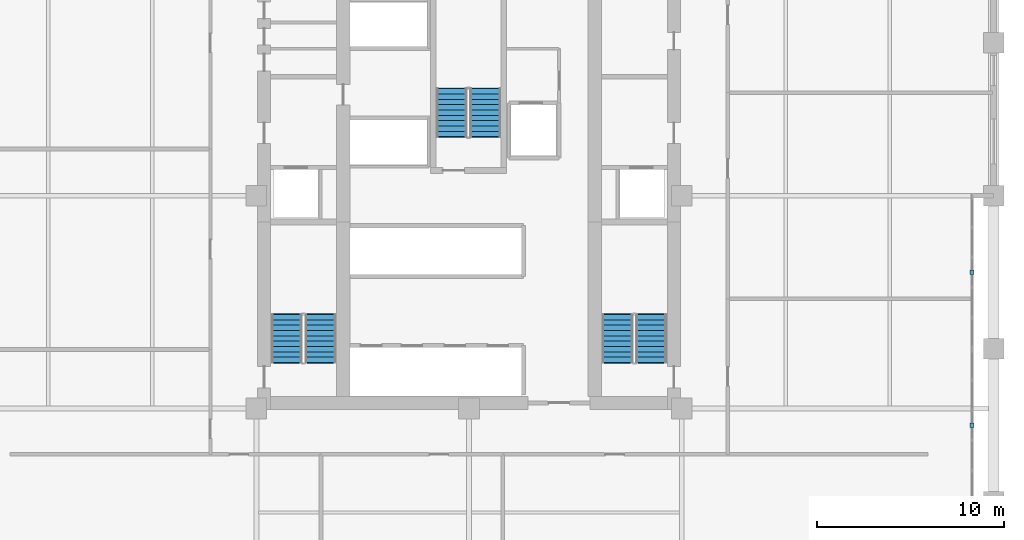
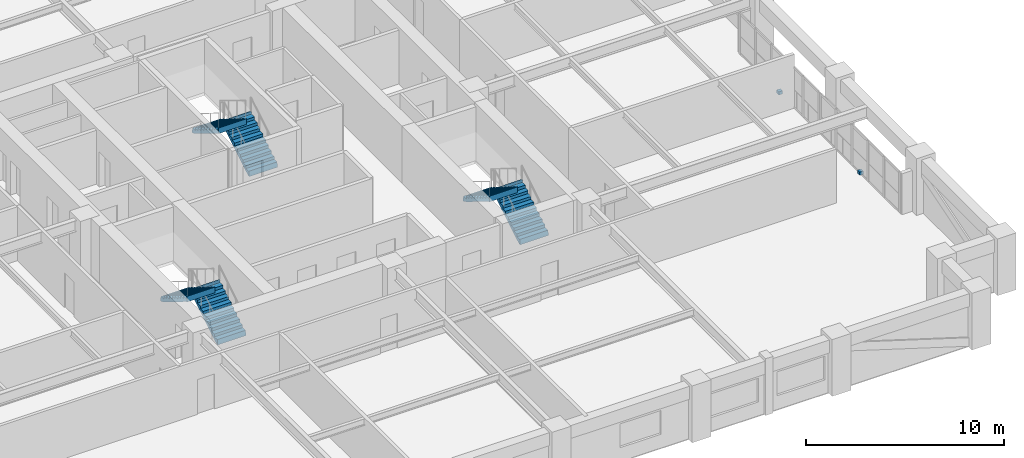
# One storey, part 7 of 10: 6 stair flights, 2 discrete accessories, 3 elements without a shape of their own.
"""IFC4 building model written with IfcOpenShell, lengths in metres."""

from ifc_helpers import new_model, si_unit, direction, frame, origin, origin_2d, place, context, subcontext, project, spatial, polyline, rectangle, outline, extrude, material, type_object, element, aggregate, save


model = new_model("IFC4")

# Units and contexts
model_context = context("Model", 3, precision=1e-05, world=origin(), true_north=direction((0.0, 1.0)))
body_context = subcontext(model_context, "Body", "Model", "MODEL_VIEW")
ifc_project = project(units=[si_unit("LENGTHUNIT", "METRE"), si_unit("AREAUNIT", "SQUARE_METRE"), si_unit("VOLUMEUNIT", "CUBIC_METRE"), si_unit("PLANEANGLEUNIT", "RADIAN"), si_unit("MASSUNIT", "GRAM", prefix="KILO")], contexts=[model_context])

# Site, building, storey
site_placement = place(None, origin())
site = spatial("IfcSite", under=ifc_project, at=site_placement, CompositionType="ELEMENT")
building_placement = place(site_placement, origin())
building = spatial("IfcBuilding", under=site, at=building_placement, Name="Nhamokura Convention Tower", CompositionType="ELEMENT")
storey_placement = place(building_placement, frame((0.0, 0.0, 89.25)))
storey = spatial("IfcBuildingStorey", under=building, at=storey_placement, Name="L21", CompositionType="ELEMENT", Elevation=89.25)

# Stair, stair flights
ifc_material_1 = material(Name="Concrete C40/50", Category="concrete")
stair_type = type_object("IfcStairType", Name="TowerCoreStair_1650", PredefinedType="HALF_TURN_STAIR", material=ifc_material_1)
stair_1_placement = place(storey_placement, origin())
stair_1 = element("IfcStair", 1, at=stair_1_placement, inside=storey, type_object=stair_type, Name="L21 West Core Smokeproof Stair ST-01", PredefinedType="HALF_TURN_STAIR")
ifc_material_2 = material(Name="Concrete C40/50", Category="concrete")
stair_flight_type = type_object("IfcStairFlightType", Name="TowerCoreStair_1650_Flight", PredefinedType="STRAIGHT", material=ifc_material_2)
stair_flight_1_placement = place(storey_placement, frame((24.074951171875, 23.10009765625, 0.0), z_axis=(0.0, 0.0, 1.0), x_axis=(0.0, 1.0, 0.0)))
stair_flight_1 = element("IfcStairFlight", 2, at=stair_flight_1_placement, type_object=stair_flight_type, Name="ST-01 flight 1", NumberOfRisers=10, NumberOfTreads=9, PredefinedType="STRAIGHT", RiserHeight=0.175, TreadLength=0.285, context=body_context, shape_type="SweptSolid", body=[
    extrude(outline(polyline([(-0.0419921875, 0.0), (0.0, 0.175048828125), (0.284912109375, 0.175048828125), (0.284912109375, 0.35009765625), (0.570068359375, 0.35009765625), (0.570068359375, 0.52490234375), (0.85498046875, 0.52490234375), (0.85498046875, 0.699951171875), (1.139892578125, 0.699951171875), (1.139892578125, 0.875), (1.425048828125, 0.875), (1.425048828125, 1.050048828125), (1.7099609375, 1.050048828125), (1.7099609375, 1.22509765625), (1.9951171875, 1.22509765625), (1.9951171875, 1.39990234375), (2.280029296875, 1.39990234375), (2.280029296875, 1.574951171875), (2.56494140625, 1.574951171875), (2.56494140625, 1.75), (2.60693359375, 1.75), (2.60693359375, 1.399169921875), (2.56494140625, 1.399169921875), (0.286376953125, 0.0), (0.02001953125, -0.1298828125), (-0.0419921875, -0.1298828125), (-0.0419921875, 0.0)])), frame((0.0, 0.824951171875, 0.0), z_axis=(0.0, -1.0, 0.0), x_axis=(1.0, 0.0, 0.0)), (0.0, 0.0, 1.0), 1.64990234375),
])
stair_flight_2_placement = place(storey_placement, frame((22.27490234375, 25.6650390625, 1.75), z_axis=(0.0, 0.0, 1.0), x_axis=(0.0, -1.0, 0.0)))
stair_flight_2 = element("IfcStairFlight", 3, at=stair_flight_2_placement, type_object=stair_flight_type, Name="ST-01 flight 2", NumberOfRisers=10, NumberOfTreads=9, PredefinedType="STRAIGHT", RiserHeight=0.175, TreadLength=0.285, context=body_context, shape_type="SweptSolid", body=[
    extrude(outline(polyline([(-0.0419921875, 0.0), (0.0, 0.175048828125), (0.284912109375, 0.175048828125), (0.284912109375, 0.35009765625), (0.570068359375, 0.35009765625), (0.570068359375, 0.52490234375), (0.85498046875, 0.52490234375), (0.85498046875, 0.699951171875), (1.139892578125, 0.699951171875), (1.139892578125, 0.875), (1.425048828125, 0.875), (1.425048828125, 1.050048828125), (1.7099609375, 1.050048828125), (1.7099609375, 1.22509765625), (1.9951171875, 1.22509765625), (1.9951171875, 1.39990234375), (2.280029296875, 1.39990234375), (2.280029296875, 1.574951171875), (2.56494140625, 1.574951171875), (2.56494140625, 1.75), (2.60693359375, 1.75), (2.60693359375, 1.399169921875), (2.56494140625, 1.399169921875), (0.286376953125, 0.0), (0.02001953125, -0.1298828125), (-0.0419921875, -0.1298828125), (-0.0419921875, 0.0)])), frame((0.0, 0.824951171875, 0.0), z_axis=(0.0, -1.0, 0.0), x_axis=(1.0, 0.0, 0.0)), (0.0, 0.0, 1.0), 1.64990234375),
])
aggregate(stair_1, [stair_flight_1, stair_flight_2])

stair_2_placement = place(storey_placement, origin())
stair_2 = element("IfcStair", 4, at=stair_2_placement, inside=storey, type_object=stair_type, Name="L21 East Core Smokeproof Stair ST-02", PredefinedType="HALF_TURN_STAIR")
stair_flight_3_placement = place(storey_placement, frame((41.72509765625, 23.10009765625, 0.0), z_axis=(0.0, 0.0, 1.0), x_axis=(0.0, 1.0, 0.0)))
stair_flight_3 = element("IfcStairFlight", 5, at=stair_flight_3_placement, type_object=stair_flight_type, Name="ST-02 flight 1", NumberOfRisers=10, NumberOfTreads=9, PredefinedType="STRAIGHT", RiserHeight=0.175, TreadLength=0.285, context=body_context, shape_type="SweptSolid", body=[
    extrude(outline(polyline([(-0.0419921875, 0.0), (0.0, 0.175048828125), (0.284912109375, 0.175048828125), (0.284912109375, 0.35009765625), (0.570068359375, 0.35009765625), (0.570068359375, 0.52490234375), (0.85498046875, 0.52490234375), (0.85498046875, 0.699951171875), (1.139892578125, 0.699951171875), (1.139892578125, 0.875), (1.425048828125, 0.875), (1.425048828125, 1.050048828125), (1.7099609375, 1.050048828125), (1.7099609375, 1.22509765625), (1.9951171875, 1.22509765625), (1.9951171875, 1.39990234375), (2.280029296875, 1.39990234375), (2.280029296875, 1.574951171875), (2.56494140625, 1.574951171875), (2.56494140625, 1.75), (2.60693359375, 1.75), (2.60693359375, 1.399169921875), (2.56494140625, 1.399169921875), (0.286376953125, 0.0), (0.02001953125, -0.1298828125), (-0.0419921875, -0.1298828125), (-0.0419921875, 0.0)])), frame((0.0, 0.824951171875, 0.0), z_axis=(0.0, -1.0, 0.0), x_axis=(1.0, 0.0, 0.0)), (0.0, 0.0, 1.0), 1.64990234375),
])
stair_flight_4_placement = place(storey_placement, frame((39.925048828125, 25.6650390625, 1.75), z_axis=(0.0, 0.0, 1.0), x_axis=(0.0, -1.0, 0.0)))
stair_flight_4 = element("IfcStairFlight", 6, at=stair_flight_4_placement, type_object=stair_flight_type, Name="ST-02 flight 2", NumberOfRisers=10, NumberOfTreads=9, PredefinedType="STRAIGHT", RiserHeight=0.175, TreadLength=0.285, context=body_context, shape_type="SweptSolid", body=[
    extrude(outline(polyline([(-0.0419921875, 0.0), (0.0, 0.175048828125), (0.284912109375, 0.175048828125), (0.284912109375, 0.35009765625), (0.570068359375, 0.35009765625), (0.570068359375, 0.52490234375), (0.85498046875, 0.52490234375), (0.85498046875, 0.699951171875), (1.139892578125, 0.699951171875), (1.139892578125, 0.875), (1.425048828125, 0.875), (1.425048828125, 1.050048828125), (1.7099609375, 1.050048828125), (1.7099609375, 1.22509765625), (1.9951171875, 1.22509765625), (1.9951171875, 1.39990234375), (2.280029296875, 1.39990234375), (2.280029296875, 1.574951171875), (2.56494140625, 1.574951171875), (2.56494140625, 1.75), (2.60693359375, 1.75), (2.60693359375, 1.399169921875), (2.56494140625, 1.399169921875), (0.286376953125, 0.0), (0.02001953125, -0.1298828125), (-0.0419921875, -0.1298828125), (-0.0419921875, 0.0)])), frame((0.0, 0.824951171875, 0.0), z_axis=(0.0, -1.0, 0.0), x_axis=(1.0, 0.0, 0.0)), (0.0, 0.0, 1.0), 1.64990234375),
])
aggregate(stair_2, [stair_flight_3, stair_flight_4])

stair_3_placement = place(storey_placement, origin())
stair_3 = element("IfcStair", 7, at=stair_3_placement, inside=storey, type_object=stair_type, Name="L21 North Core Smokeproof Stair ST-03", PredefinedType="HALF_TURN_STAIR")
stair_flight_5_placement = place(storey_placement, frame((32.875, 35.14990234375, 0.0), z_axis=(0.0, 0.0, 1.0), x_axis=(0.0, 1.0, 0.0)))
stair_flight_5 = element("IfcStairFlight", 8, at=stair_flight_5_placement, type_object=stair_flight_type, Name="ST-03 flight 1", NumberOfRisers=10, NumberOfTreads=9, PredefinedType="STRAIGHT", RiserHeight=0.175, TreadLength=0.285, context=body_context, shape_type="SweptSolid", body=[
    extrude(outline(polyline([(-0.0419921875, 0.0), (0.0, 0.175048828125), (0.284912109375, 0.175048828125), (0.284912109375, 0.35009765625), (0.570068359375, 0.35009765625), (0.570068359375, 0.52490234375), (0.85498046875, 0.52490234375), (0.85498046875, 0.699951171875), (1.139892578125, 0.699951171875), (1.139892578125, 0.875), (1.425048828125, 0.875), (1.425048828125, 1.050048828125), (1.7099609375, 1.050048828125), (1.7099609375, 1.22509765625), (1.9951171875, 1.22509765625), (1.9951171875, 1.39990234375), (2.280029296875, 1.39990234375), (2.280029296875, 1.574951171875), (2.56494140625, 1.574951171875), (2.56494140625, 1.75), (2.60693359375, 1.75), (2.60693359375, 1.399169921875), (2.56494140625, 1.399169921875), (0.286376953125, 0.0), (0.02001953125, -0.1298828125), (-0.0419921875, -0.1298828125), (-0.0419921875, 0.0)])), frame((0.0, 0.824951171875, 0.0), z_axis=(0.0, -1.0, 0.0), x_axis=(1.0, 0.0, 0.0)), (0.0, 0.0, 1.0), 1.64990234375),
])
stair_flight_6_placement = place(storey_placement, frame((31.074951171875, 37.715087890625, 1.75), z_axis=(0.0, 0.0, 1.0), x_axis=(0.0, -1.0, 0.0)))
stair_flight_6 = element("IfcStairFlight", 9, at=stair_flight_6_placement, type_object=stair_flight_type, Name="ST-03 flight 2", NumberOfRisers=10, NumberOfTreads=9, PredefinedType="STRAIGHT", RiserHeight=0.175, TreadLength=0.285, context=body_context, shape_type="SweptSolid", body=[
    extrude(outline(polyline([(-0.0419921875, 0.0), (0.0, 0.175048828125), (0.284912109375, 0.175048828125), (0.284912109375, 0.35009765625), (0.570068359375, 0.35009765625), (0.570068359375, 0.52490234375), (0.85498046875, 0.52490234375), (0.85498046875, 0.699951171875), (1.139892578125, 0.699951171875), (1.139892578125, 0.875), (1.425048828125, 0.875), (1.425048828125, 1.050048828125), (1.7099609375, 1.050048828125), (1.7099609375, 1.22509765625), (1.9951171875, 1.22509765625), (1.9951171875, 1.39990234375), (2.280029296875, 1.39990234375), (2.280029296875, 1.574951171875), (2.56494140625, 1.574951171875), (2.56494140625, 1.75), (2.60693359375, 1.75), (2.60693359375, 1.399169921875), (2.56494140625, 1.399169921875), (0.286376953125, 0.0), (0.02001953125, -0.1298828125), (-0.0419921875, -0.1298828125), (-0.0419921875, 0.0)])), frame((0.0, 0.824951171875, 0.0), z_axis=(0.0, -1.0, 0.0), x_axis=(1.0, 0.0, 0.0)), (0.0, 0.0, 1.0), 1.64990234375),
])
aggregate(stair_3, [stair_flight_5, stair_flight_6])

# Discrete accessories
ifc_material_3 = material(Name="Steel ASTM A572 Gr 50", Category="steel")
discrete_accessory_type = type_object("IfcDiscreteAccessoryType", Name="FacadeOutstandBracket", PredefinedType="BRACKET", material=ifc_material_3)
for number, where, z_axis, x_axis, name in (
    (10, (58.85009765625, 19.75, -0.02001953125), (0.0, 0.0, 1.0), (1.0, 0.0, 0.0), "L21 Scale Slot Base Shoe Bracket EAST 1"),
    (11, (58.85009765625, 27.916748046875, -0.02001953125), (0.0, 0.0, 1.0), (1.0, 0.0, 0.0), "L21 Scale Slot Base Shoe Bracket EAST 2"),
):
    element("IfcDiscreteAccessory", number, at=place(storey_placement, frame(where, z_axis=z_axis, x_axis=x_axis)), inside=storey, type_object=discrete_accessory_type, Name=name, PredefinedType="BRACKET", context=body_context, shape_type="SweptSolid", body=[
        extrude(rectangle(XDim=0.219970703125, YDim=0.219970703125, at=origin_2d()), origin(), (0.0, 0.0, 1.0), 0.199951171875),
    ])

save(model, "model.ifc")
